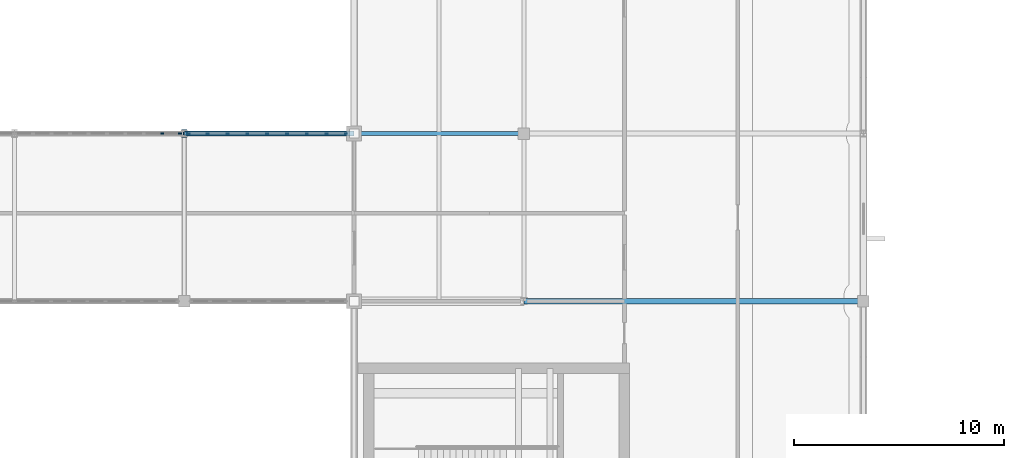
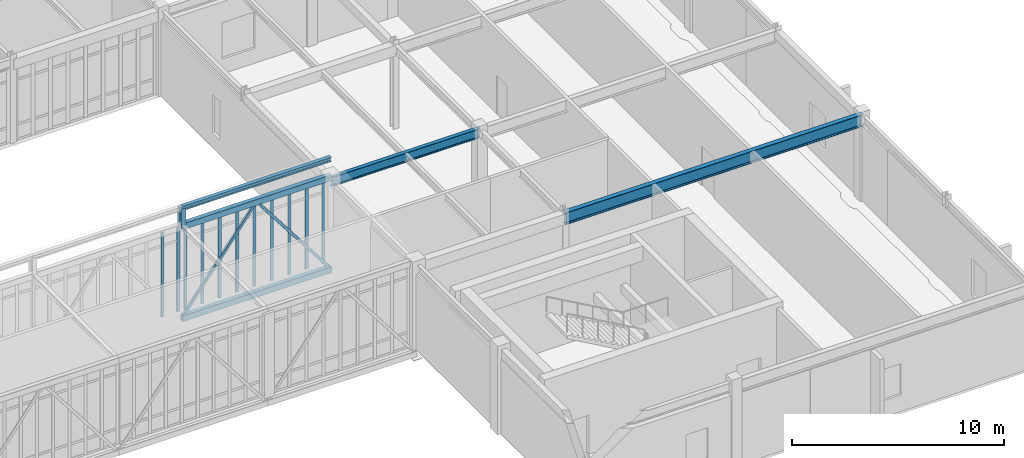
# One storey, part 34 of 107: 16 members, 3 beams, 2 elements without a shape of their own.
"""IFC4 building model written with IfcOpenShell, lengths in metres."""

from ifc_helpers import new_model, si_unit, direction, frame, origin, origin_2d, place, context, subcontext, project, spatial, rectangle, hollow_rectangle, i_section, extrude, material, material_profile, profile_set, type_object, element, aggregate, save


model = new_model("IFC4")

# Units and contexts
model_context = context("Model", 3, precision=1e-05, world=origin(), true_north=direction((0.0, 1.0)))
body_context = subcontext(model_context, "Body", "Model", "MODEL_VIEW")
ifc_project = project(units=[si_unit("LENGTHUNIT", "METRE"), si_unit("AREAUNIT", "SQUARE_METRE"), si_unit("VOLUMEUNIT", "CUBIC_METRE"), si_unit("PLANEANGLEUNIT", "RADIAN"), si_unit("MASSUNIT", "GRAM", prefix="KILO")], contexts=[model_context])

# Site, building, storey
site_placement = place(None, origin())
site = spatial("IfcSite", under=ifc_project, at=site_placement, CompositionType="ELEMENT")
building_placement = place(site_placement, origin())
building = spatial("IfcBuilding", under=site, at=building_placement, Name="Tarnveldt Square Police Headquarters", CompositionType="ELEMENT")
storey_placement = place(building_placement, frame((0.0, 0.0, 14.699951171875)))
storey = spatial("IfcBuildingStorey", under=building, at=storey_placement, Name="L03", CompositionType="ELEMENT", Elevation=14.699951171875)

# Beams
ifc_material_1 = material(Name="Steel 350W", Category="steel")
ifc_material_profile_1 = material_profile(ifc_material_1, i_section(OverallWidth=0.202880859375, OverallDepth=0.251953125, WebThickness=0.008056640625, FlangeThickness=0.013427734375, FilletRadius=0.012939453125, at=origin_2d()), Name="W250x58")
ifc_profile_set_1 = profile_set([ifc_material_profile_1], Name="Steel 350W")
beam_type_1 = type_object("IfcBeamType", Name="BM-W250x58", PredefinedType="BEAM", material=ifc_profile_set_1)
beam_1_placement = place(storey_placement, frame((97.199951171875, 80.0, 5.89013671875), z_axis=(1.0, 0.0, 0.0), x_axis=(0.0, 1.0, 0.0)))
element("IfcBeam", 1, at=beam_1_placement, inside=storey, type_object=beam_type_1, Name="Skybridge SBN High Eave Beam 7", PredefinedType="BEAM", context=body_context, shape_type="SweptSolid", body=[
    extrude(i_section(OverallWidth=0.202880859375, OverallDepth=0.251953125, WebThickness=0.008056640625, FlangeThickness=0.013427734375, FilletRadius=0.012939453125, at=origin_2d()), origin(), (0.0, 0.0, 1.0), 8.10009765625),
])
ifc_material_profile_2 = material_profile(ifc_material_1, i_section(OverallWidth=0.208984375, OverallDepth=0.532958984375, WebThickness=0.01025390625, FlangeThickness=0.015625, FilletRadius=0.01904296875, at=origin_2d()), Name="W530x92")
ifc_profile_set_2 = profile_set([ifc_material_profile_2], Name="Steel 350W")
beam_type_2 = type_object("IfcBeamType", Name="BM-W530x92", PredefinedType="BEAM", material=ifc_profile_set_2)
beam_2_placement = place(storey_placement, frame((105.300048828125, 80.0, 4.573486328125), z_axis=(1.0, 0.0, 0.0), x_axis=(0.0, 1.0, 0.0)))
element("IfcBeam", 2, at=beam_2_placement, inside=storey, type_object=beam_type_2, Name="L04 Grid Girder X-0825", PredefinedType="BEAM", context=body_context, shape_type="SweptSolid", body=[
    extrude(i_section(OverallWidth=0.208984375, OverallDepth=0.532958984375, WebThickness=0.01025390625, FlangeThickness=0.015625, FilletRadius=0.01904296875, at=origin_2d()), origin(), (0.0, 0.0, 1.0), 8.099853515625),
])
ifc_material_profile_3 = material_profile(ifc_material_1, i_section(OverallWidth=0.25390625, OverallDepth=0.68798828125, WebThickness=0.01318359375, FlangeThickness=0.02099609375, FilletRadius=0.02001953125, at=origin_2d()), Name="W690x152")
ifc_profile_set_3 = profile_set([ifc_material_profile_3], Name="Steel 350W")
beam_type_3 = type_object("IfcBeamType", Name="BM-W690x152", PredefinedType="BEAM", material=ifc_profile_set_3)
beam_3_placement = place(storey_placement, frame((113.39990234375, 72.0, 4.49609375), z_axis=(1.0, 0.0, 0.0), x_axis=(0.0, 1.0, 0.0)))
element("IfcBeam", 3, at=beam_3_placement, inside=storey, type_object=beam_type_3, Name="L04 Grid Girder X-0821", PredefinedType="BEAM", context=body_context, shape_type="SweptSolid", body=[
    extrude(i_section(OverallWidth=0.25390625, OverallDepth=0.68798828125, WebThickness=0.01318359375, FlangeThickness=0.02099609375, FilletRadius=0.02001953125, at=origin_2d()), origin(), (0.0, 0.0, 1.0), 16.2001953125),
])

# Curtain wall, members
ifc_material_2 = material(Name="Triple-glazed low-e laminated vision glass", Category="glass")
curtain_wall_type_1 = type_object("IfcCurtainWallType", Name="CW-SB-793x484", PredefinedType="USERDEFINED", material=ifc_material_2)
curtain_wall_1_placement = place(storey_placement, origin())
curtain_wall_1 = element("IfcCurtainWall", 4, at=curtain_wall_1_placement, inside=storey, type_object=curtain_wall_type_1, Name="L03 Curtain Wall CW-L03-164", ObjectType="GLAZED CURTAIN WALL", PredefinedType="USERDEFINED")
ifc_material_3 = material(Name="Thermally broken anodised aluminium 6063-T6", Category="aluminium")
ifc_material_profile_4 = material_profile(ifc_material_3, rectangle(XDim=0.06494140625, YDim=0.159912109375, at=origin_2d()), Name="CW-M65x160")
ifc_profile_set_4 = profile_set([ifc_material_profile_4], Name="Thermally broken anodised aluminium 6063-T6")
member_type_1 = type_object("IfcMemberType", Name="CWM-65x160", PredefinedType="MULLION", material=ifc_profile_set_4)
member_1_placement = place(storey_placement, frame((96.149658203125, 80.0, 0.0), z_axis=(0.0, 0.0, 1.0), x_axis=(0.0, 1.0, 0.0)))
member_1 = element("IfcMember", 5, at=member_1_placement, type_object=member_type_1, Name="CW-SB91 mullion 9", PredefinedType="MULLION", context=body_context, shape_type="SweptSolid", body=[
    extrude(rectangle(XDim=0.06494140625, YDim=0.159912109375, at=origin_2d()), origin(), (0.0, 0.0, 1.0), 4.840087890625),
])
member_2_placement = place(storey_placement, frame((96.99853515625, 80.0, 0.0), z_axis=(0.0, 0.0, 1.0), x_axis=(0.0, 1.0, 0.0)))
member_2 = element("IfcMember", 6, at=member_2_placement, type_object=member_type_1, Name="CW-SB91 mullion 10", PredefinedType="MULLION", context=body_context, shape_type="SweptSolid", body=[
    extrude(rectangle(XDim=0.06494140625, YDim=0.159912109375, at=origin_2d()), origin(), (0.0, 0.0, 1.0), 4.840087890625),
])
aggregate(curtain_wall_1, [member_1, member_2])

curtain_wall_type_2 = type_object("IfcCurtainWallType", Name="CW-SB-757x484", PredefinedType="USERDEFINED", material=ifc_material_2)
curtain_wall_2_placement = place(storey_placement, origin())
curtain_wall_2 = element("IfcCurtainWall", 7, at=curtain_wall_2_placement, inside=storey, type_object=curtain_wall_type_2, Name="L03 Curtain Wall CW-L03-165", ObjectType="GLAZED CURTAIN WALL", PredefinedType="USERDEFINED")
member_3_placement = place(storey_placement, frame((97.401611328125, 80.0, 0.0), z_axis=(0.0, 0.0, 1.0), x_axis=(0.0, 1.0, 0.0)))
member_3 = element("IfcMember", 8, at=member_3_placement, type_object=member_type_1, Name="CW-SB89 mullion 1", PredefinedType="MULLION", context=body_context, shape_type="SweptSolid", body=[
    extrude(rectangle(XDim=0.06494140625, YDim=0.159912109375, at=origin_2d()), origin(), (0.0, 0.0, 1.0), 4.840087890625),
])
member_4_placement = place(storey_placement, frame((98.314697265625, 80.0, 0.0), z_axis=(0.0, 0.0, 1.0), x_axis=(0.0, 1.0, 0.0)))
member_4 = element("IfcMember", 9, at=member_4_placement, type_object=member_type_1, Name="CW-SB89 mullion 2", PredefinedType="MULLION", context=body_context, shape_type="SweptSolid", body=[
    extrude(rectangle(XDim=0.06494140625, YDim=0.159912109375, at=origin_2d()), origin(), (0.0, 0.0, 1.0), 4.840087890625),
])
member_5_placement = place(storey_placement, frame((99.260498046875, 80.0, 0.0), z_axis=(0.0, 0.0, 1.0), x_axis=(0.0, 1.0, 0.0)))
member_5 = element("IfcMember", 10, at=member_5_placement, type_object=member_type_1, Name="CW-SB89 mullion 3", PredefinedType="MULLION", context=body_context, shape_type="SweptSolid", body=[
    extrude(rectangle(XDim=0.06494140625, YDim=0.159912109375, at=origin_2d()), origin(), (0.0, 0.0, 1.0), 4.840087890625),
])
member_6_placement = place(storey_placement, frame((100.206298828125, 80.0, 0.0), z_axis=(0.0, 0.0, 1.0), x_axis=(0.0, 1.0, 0.0)))
member_6 = element("IfcMember", 11, at=member_6_placement, type_object=member_type_1, Name="CW-SB89 mullion 4", PredefinedType="MULLION", context=body_context, shape_type="SweptSolid", body=[
    extrude(rectangle(XDim=0.06494140625, YDim=0.159912109375, at=origin_2d()), origin(), (0.0, 0.0, 1.0), 4.840087890625),
])
member_7_placement = place(storey_placement, frame((101.152099609375, 80.0, 0.0), z_axis=(0.0, 0.0, 1.0), x_axis=(0.0, 1.0, 0.0)))
member_7 = element("IfcMember", 12, at=member_7_placement, type_object=member_type_1, Name="CW-SB89 mullion 5", PredefinedType="MULLION", context=body_context, shape_type="SweptSolid", body=[
    extrude(rectangle(XDim=0.06494140625, YDim=0.159912109375, at=origin_2d()), origin(), (0.0, 0.0, 1.0), 4.840087890625),
])
member_8_placement = place(storey_placement, frame((102.09765625, 80.0, 0.0), z_axis=(0.0, 0.0, 1.0), x_axis=(0.0, 1.0, 0.0)))
member_8 = element("IfcMember", 13, at=member_8_placement, type_object=member_type_1, Name="CW-SB89 mullion 6", PredefinedType="MULLION", context=body_context, shape_type="SweptSolid", body=[
    extrude(rectangle(XDim=0.06494140625, YDim=0.159912109375, at=origin_2d()), origin(), (0.0, 0.0, 1.0), 4.840087890625),
])
member_9_placement = place(storey_placement, frame((103.04345703125, 80.0, 0.0), z_axis=(0.0, 0.0, 1.0), x_axis=(0.0, 1.0, 0.0)))
member_9 = element("IfcMember", 14, at=member_9_placement, type_object=member_type_1, Name="CW-SB89 mullion 7", PredefinedType="MULLION", context=body_context, shape_type="SweptSolid", body=[
    extrude(rectangle(XDim=0.06494140625, YDim=0.159912109375, at=origin_2d()), origin(), (0.0, 0.0, 1.0), 4.840087890625),
])
member_10_placement = place(storey_placement, frame((103.9892578125, 80.0, 0.0), z_axis=(0.0, 0.0, 1.0), x_axis=(0.0, 1.0, 0.0)))
member_10 = element("IfcMember", 15, at=member_10_placement, type_object=member_type_1, Name="CW-SB89 mullion 8", PredefinedType="MULLION", context=body_context, shape_type="SweptSolid", body=[
    extrude(rectangle(XDim=0.06494140625, YDim=0.159912109375, at=origin_2d()), origin(), (0.0, 0.0, 1.0), 4.840087890625),
])
member_11_placement = place(storey_placement, frame((104.902587890625, 80.0, 0.0), z_axis=(0.0, 0.0, 1.0), x_axis=(0.0, 1.0, 0.0)))
member_11 = element("IfcMember", 16, at=member_11_placement, type_object=member_type_1, Name="CW-SB89 mullion 9", PredefinedType="MULLION", context=body_context, shape_type="SweptSolid", body=[
    extrude(rectangle(XDim=0.06494140625, YDim=0.159912109375, at=origin_2d()), origin(), (0.0, 0.0, 1.0), 4.840087890625),
])
aggregate(curtain_wall_2, [member_3, member_4, member_5, member_6, member_7, member_8, member_9, member_10, member_11])

# Members
ifc_material_profile_5 = material_profile(ifc_material_1, i_section(OverallWidth=0.257080078125, OverallDepth=0.363037109375, WebThickness=0.012939453125, FlangeThickness=0.021728515625, FilletRadius=0.01611328125, at=origin_2d()), Name="W360x122")
ifc_profile_set_5 = profile_set([ifc_material_profile_5], Name="Steel 350W")
member_type_2 = type_object("IfcMemberType", Name="MEM-CT-POST", PredefinedType="STRUT", material=ifc_profile_set_5)
member_12_placement = place(storey_placement, frame((97.199951171875, 80.0, 4.85009765625), z_axis=(0.0, 0.0, 1.0), x_axis=(1.0, 0.0, 0.0)))
element("IfcMember", 17, at=member_12_placement, inside=storey, type_object=member_type_2, Name="Skybridge SBN Roof Post 7", PredefinedType="STRUT", context=body_context, shape_type="SweptSolid", body=[
    extrude(i_section(OverallWidth=0.257080078125, OverallDepth=0.363037109375, WebThickness=0.012939453125, FlangeThickness=0.021728515625, FilletRadius=0.01611328125, at=origin_2d()), origin(), (0.0, 0.0, 1.0), 1.079833984375),
])
ifc_material_profile_6 = material_profile(ifc_material_1, hollow_rectangle(XDim=0.25390625, YDim=0.355712890625, WallThickness=0.015869140625, InnerFilletRadius=0.015869140625, OuterFilletRadius=0.03173828125, at=origin_2d()), Name="HSS356x254x16")
ifc_profile_set_6 = profile_set([ifc_material_profile_6], Name="Steel 350W")
member_type_3 = type_object("IfcMemberType", Name="MEM-SB-CHORD", PredefinedType="CHORD", material=ifc_profile_set_6)
for number, where, z_axis, x_axis, name in (
    (18, (97.199951171875, 80.0, -0.43994140625), (1.0, 0.0, 0.0), (0.0, 1.0, 0.0), "Skybridge SBN Bottom Chord N7"),
    (19, (97.199951171875, 80.0, 4.85009765625), (1.0, 0.0, 0.0), (0.0, 1.0, 0.0), "Skybridge SBN Top Chord N7"),
):
    element("IfcMember", number, at=place(storey_placement, frame(where, z_axis=z_axis, x_axis=x_axis)), inside=storey, type_object=member_type_3, Name=name, PredefinedType="CHORD", context=body_context, shape_type="SweptSolid", body=[
        extrude(hollow_rectangle(XDim=0.25390625, YDim=0.355712890625, WallThickness=0.015869140625, InnerFilletRadius=0.015869140625, OuterFilletRadius=0.03173828125, at=origin_2d()), origin(), (0.0, 0.0, 1.0), 8.10009765625),
    ])
ifc_material_profile_7 = material_profile(ifc_material_1, hollow_rectangle(XDim=0.15234375, YDim=0.15234375, WallThickness=0.009521484375, InnerFilletRadius=0.009521484375, OuterFilletRadius=0.01904296875, at=origin_2d()), Name="HSS152x152x9.5")
ifc_profile_set_7 = profile_set([ifc_material_profile_7], Name="Steel 350W")
member_type_4 = type_object("IfcMemberType", Name="MEM-SB-WEB", PredefinedType="BRACE", material=ifc_profile_set_7)
for number, where, z_axis, x_axis, name in (
    (20, (97.199951171875, 80.0, -0.43994140625), (0.607897507531, 0.0, 0.794015503839), (0.0, 1.0, 0.0), "Skybridge SBN Web A7"),
    (21, (105.300048828125, 80.0, -0.43994140625), (-0.607897507531, 0.0, 0.794015503839), (0.0, -1.0, 0.0), "Skybridge SBN Web B7"),
):
    element("IfcMember", number, at=place(storey_placement, frame(where, z_axis=z_axis, x_axis=x_axis)), inside=storey, type_object=member_type_4, Name=name, PredefinedType="BRACE", context=body_context, shape_type="SweptSolid", body=[
        extrude(hollow_rectangle(XDim=0.15234375, YDim=0.15234375, WallThickness=0.009521484375, InnerFilletRadius=0.009521484375, OuterFilletRadius=0.01904296875, at=origin_2d()), origin(), (0.0, 0.0, 1.0), 6.662353515625),
    ])

save(model, "model.ifc")
